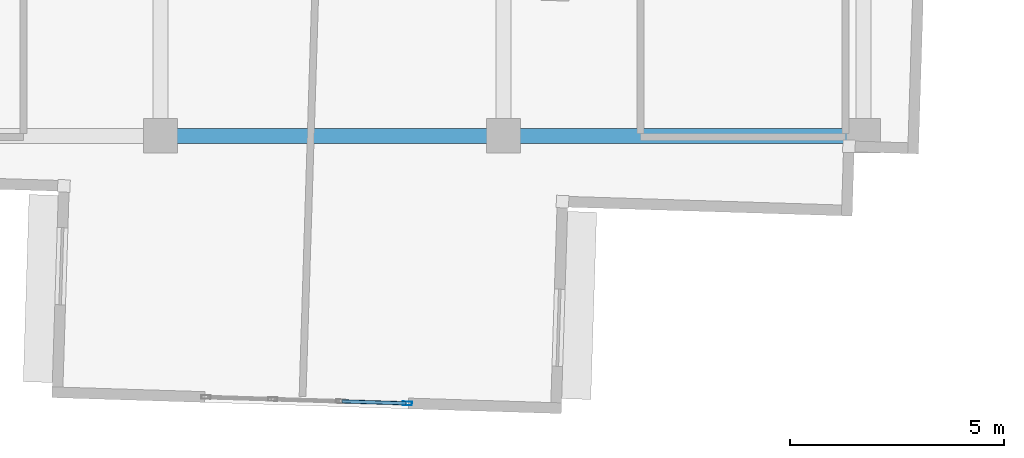
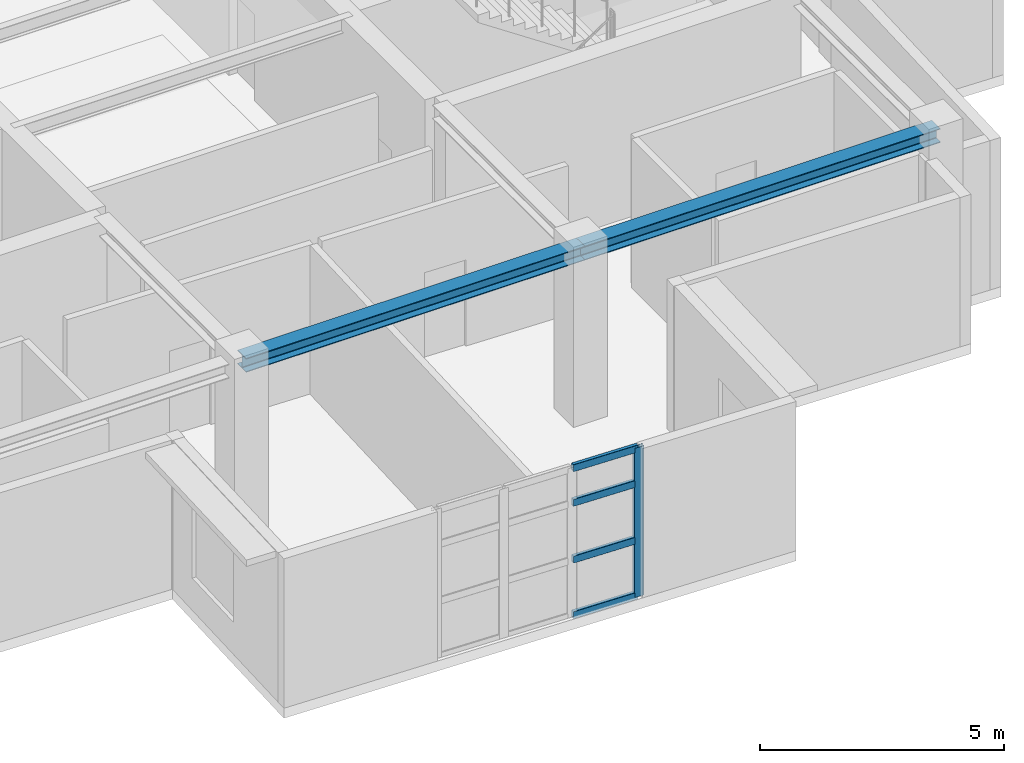
# One storey, part 3 of 14: 5 members, 2 beams, 1 element without a shape of its own.
"""IFC4 building model written with IfcOpenShell, lengths in metres."""

from ifc_helpers import new_model, si_unit, direction, frame, origin, origin_2d, place, context, subcontext, project, spatial, hollow_rectangle, i_section, extrude, material, layer, layer_set, material_profile, profile_set, type_object, element, aggregate, save


model = new_model("IFC4")

# Units and contexts
model_context = context("Model", 3, precision=1e-05, world=origin(), true_north=direction((0.0, 1.0)))
body_context = subcontext(model_context, "Body", "Model", "MODEL_VIEW")
ifc_project = project(units=[si_unit("LENGTHUNIT", "METRE"), si_unit("AREAUNIT", "SQUARE_METRE"), si_unit("VOLUMEUNIT", "CUBIC_METRE"), si_unit("PLANEANGLEUNIT", "RADIAN"), si_unit("MASSUNIT", "GRAM", prefix="KILO")], contexts=[model_context])

# Site, building, storey
site_placement = place(None, origin())
site = spatial("IfcSite", under=ifc_project, at=site_placement, CompositionType="ELEMENT")
building_placement = place(site_placement, origin())
building = spatial("IfcBuilding", under=site, at=building_placement, Name="Qingluan Cross Belvedere", CompositionType="ELEMENT")
storey_placement = place(building_placement, frame((0.0, 0.0, 317.39990234375)))
storey = spatial("IfcBuildingStorey", under=building, at=storey_placement, Name="L78", CompositionType="ELEMENT", Elevation=317.39990234375)

# Curtain wall, members
ifc_material_1 = material(Name="Thermally broken aluminium and Low-E glass", Category="aluminium")
ifc_layer = layer(ifc_material_1, 0.219970703125, Name="ObservationCW_BelvedereDeck")
ifc_layer_set = layer_set([ifc_layer], Name="Thermally broken aluminium and Low-E glass")
curtain_wall_type = type_object("IfcCurtainWallType", Name="ObservationCW_BelvedereDeck", PredefinedType="USERDEFINED", material=ifc_layer_set)
curtain_wall_placement = place(storey_placement, origin())
curtain_wall = element("IfcCurtainWall", 1, at=curtain_wall_placement, inside=storey, type_object=curtain_wall_type, Name="ObservationCW_BelvedereDeck run env:cw:L78:S", ObjectType="OBSERVATION GLAZING WALL", PredefinedType="USERDEFINED")
ifc_material_2 = material(Name="Aluminium alloy 6063-T6", Category="aluminium")
ifc_material_profile_1 = material_profile(ifc_material_2, hollow_rectangle(XDim=0.0849609375, YDim=0.219970703125, WallThickness=0.0048828125, InnerFilletRadius=0.0048828125, OuterFilletRadius=0.010009765625, at=origin_2d()), Name="CWM220x85x5")
ifc_profile_set_1 = profile_set([ifc_material_profile_1], Name="Aluminium alloy 6063-T6")
member_type_1 = type_object("IfcMemberType", Name="CWMullion_220", PredefinedType="MULLION", material=ifc_profile_set_1)
member_1_placement = place(storey_placement, frame((1.7568359375, -18.844482421875, 0.0), z_axis=(0.0, 0.0, 1.0), x_axis=(0.031413301117, 0.999506480476, 0.0)))
member_1 = element("IfcMember", 2, at=member_1_placement, type_object=member_type_1, Name="CW-C3 mullion 4", PredefinedType="MULLION", context=body_context, shape_type="SweptSolid", body=[
    extrude(hollow_rectangle(XDim=0.0849609375, YDim=0.219970703125, WallThickness=0.0048828125, InnerFilletRadius=0.0048828125, OuterFilletRadius=0.010009765625, at=origin_2d()), origin(), (0.0, 0.0, 1.0), 3.72998046875),
])
ifc_material_3 = material(Name="Aluminium alloy 6063-T6", Category="aluminium")
ifc_material_profile_2 = material_profile(ifc_material_3, hollow_rectangle(XDim=0.0849609375, YDim=0.179931640625, WallThickness=0.00390625, InnerFilletRadius=0.00390625, OuterFilletRadius=0.008056640625, at=origin_2d()), Name="CWT180x85x4")
ifc_profile_set_2 = profile_set([ifc_material_profile_2], Name="Aluminium alloy 6063-T6")
member_type_2 = type_object("IfcMemberType", Name="CWTransom_180", PredefinedType="USERDEFINED", material=ifc_profile_set_2)
member_2_placement = place(storey_placement, frame((0.232421875, -18.796630859375, 0.030029296875), z_axis=(0.999508565572, -0.031346887388, 0.0), x_axis=(0.031346887388, 0.999508565572, 0.0)))
member_2 = element("IfcMember", 3, at=member_2_placement, type_object=member_type_2, Name="CW-C3 transom 3.1", ObjectType="TRANSOM", PredefinedType="USERDEFINED", context=body_context, shape_type="SweptSolid", body=[
    extrude(hollow_rectangle(XDim=0.0849609375, YDim=0.179931640625, WallThickness=0.00390625, InnerFilletRadius=0.00390625, OuterFilletRadius=0.008056640625, at=origin_2d()), origin(), (0.0, 0.0, 1.0), 1.495361328125),
])
member_3_placement = place(storey_placement, frame((0.232421875, -18.796630859375, 1.4169921875), z_axis=(0.999508565572, -0.031346887388, 0.0), x_axis=(0.031346887388, 0.999508565572, 0.0)))
member_3 = element("IfcMember", 4, at=member_3_placement, type_object=member_type_2, Name="CW-C3 transom 3.2", ObjectType="TRANSOM", PredefinedType="USERDEFINED", context=body_context, shape_type="SweptSolid", body=[
    extrude(hollow_rectangle(XDim=0.0849609375, YDim=0.179931640625, WallThickness=0.00390625, InnerFilletRadius=0.00390625, OuterFilletRadius=0.008056640625, at=origin_2d()), origin(), (0.0, 0.0, 1.0), 1.495361328125),
])
member_4_placement = place(storey_placement, frame((0.232421875, -18.796630859375, 2.835205078125), z_axis=(0.999508565572, -0.031346887388, 0.0), x_axis=(0.031346887388, 0.999508565572, 0.0)))
member_4 = element("IfcMember", 5, at=member_4_placement, type_object=member_type_2, Name="CW-C3 transom 3.3", ObjectType="TRANSOM", PredefinedType="USERDEFINED", context=body_context, shape_type="SweptSolid", body=[
    extrude(hollow_rectangle(XDim=0.0849609375, YDim=0.179931640625, WallThickness=0.00390625, InnerFilletRadius=0.00390625, OuterFilletRadius=0.008056640625, at=origin_2d()), origin(), (0.0, 0.0, 1.0), 1.495361328125),
])
member_5_placement = place(storey_placement, frame((0.232421875, -18.796630859375, 3.7001953125), z_axis=(0.999508565572, -0.031346887388, 0.0), x_axis=(0.031346887388, 0.999508565572, 0.0)))
member_5 = element("IfcMember", 6, at=member_5_placement, type_object=member_type_2, Name="CW-C3 transom 3.4", ObjectType="TRANSOM", PredefinedType="USERDEFINED", context=body_context, shape_type="SweptSolid", body=[
    extrude(hollow_rectangle(XDim=0.0849609375, YDim=0.179931640625, WallThickness=0.00390625, InnerFilletRadius=0.00390625, OuterFilletRadius=0.008056640625, at=origin_2d()), origin(), (0.0, 0.0, 1.0), 1.495361328125),
])
aggregate(curtain_wall, [member_1, member_2, member_3, member_4, member_5])

# Beams
ifc_material_4 = material(Name="Steel Q420GJB", Category="steel")
ifc_material_profile_3 = material_profile(ifc_material_4, i_section(OverallWidth=0.35009765625, OverallDepth=0.35009765625, WebThickness=0.011962890625, FlangeThickness=0.01904296875, FilletRadius=0.02001953125, at=origin_2d()), Name="HW350x350x12x19")
ifc_profile_set_3 = profile_set([ifc_material_profile_3], Name="Steel Q420GJB")
beam_type = type_object("IfcBeamType", Name="Steel_Girder_HW350x350x12x19", PredefinedType="USERDEFINED", material=ifc_profile_set_3)
beam_1_placement = place(storey_placement, frame((-4.0, -12.60009765625, 4.0751953125), z_axis=(1.0, 0.0, 0.0), x_axis=(0.0, 1.0, 0.0)))
element("IfcBeam", 7, at=beam_1_placement, inside=storey, type_object=beam_type, Name="Hub girder L78-HG-S2", ObjectType="GIRDER", PredefinedType="USERDEFINED", context=body_context, shape_type="SweptSolid", body=[
    extrude(i_section(OverallWidth=0.35009765625, OverallDepth=0.35009765625, WebThickness=0.011962890625, FlangeThickness=0.01904296875, FilletRadius=0.02001953125, at=origin_2d()), origin(), (0.0, 0.0, 1.0), 8.0),
])
beam_2_placement = place(storey_placement, frame((4.0, -12.60009765625, 4.0751953125), z_axis=(1.0, 0.0, 0.0), x_axis=(0.0, 1.0, 0.0)))
element("IfcBeam", 8, at=beam_2_placement, inside=storey, type_object=beam_type, Name="Hub girder L78-HG-S3", ObjectType="GIRDER", PredefinedType="USERDEFINED", context=body_context, shape_type="SweptSolid", body=[
    extrude(i_section(OverallWidth=0.35009765625, OverallDepth=0.35009765625, WebThickness=0.011962890625, FlangeThickness=0.01904296875, FilletRadius=0.02001953125, at=origin_2d()), origin(), (0.0, 0.0, 1.0), 8.39990234375),
])

save(model, "model.ifc")
